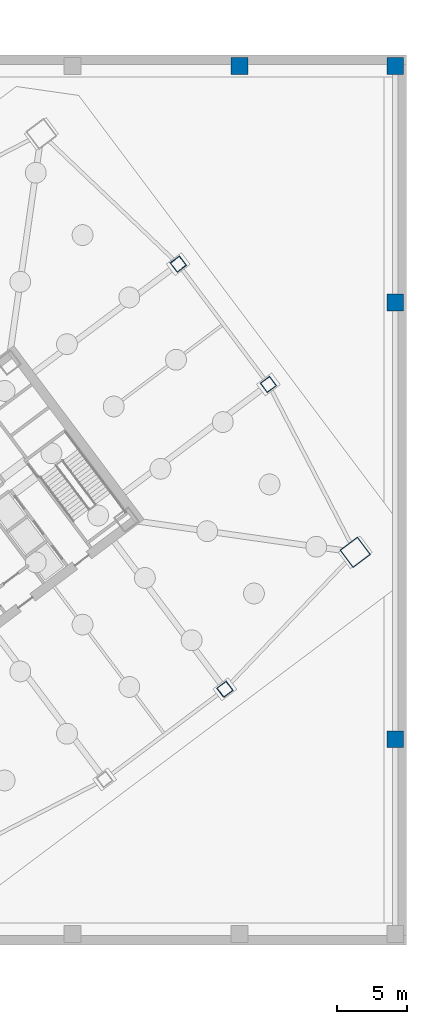
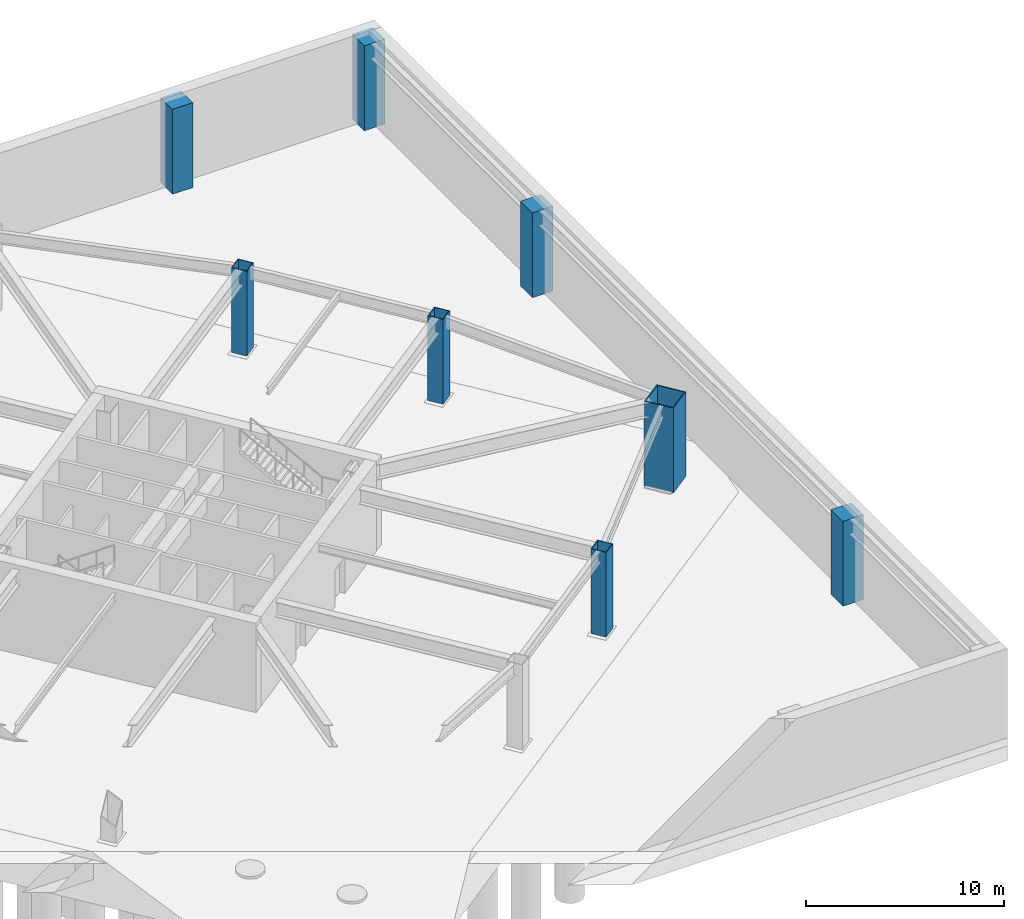
# One storey, part 5 of 19: 8 columns.
"""IFC4 building model written with IfcOpenShell, lengths in metres."""

import ifcopenshell
import ifcopenshell.guid

model = None  # the IFC model being written
_history = None  # IfcOwnerHistory: only IFC2X3 demands one
_inside = {}  # id of a spatial element -> (the spatial element, [elements in it])
_under = {}  # id of a project, library or spatial element -> (it, [spatial elements below it])
_declared = {}  # id of a project -> (the project, [libraries it declares])
_typed = {}  # id of a type object -> (the type object, [elements of that type])
_made_of = {}  # id of a material, layer set ... -> (it, [elements and type objects made of it])


def new_model(schema):
    """Start an empty IFC model of exactly this schema.

    Asked for "IFC4X3", IfcOpenShell would pick the latest addendum, in which some entities
    have other attributes; the version numbers below select the first issue.
    IFC2X3 requires an IfcOwnerHistory on every rooted entity: one is made here for all.
    """
    global model, _history
    if schema == "IFC4X3":
        model = ifcopenshell.file(schema_version=(4, 3, 0, 0))
    else:
        model = ifcopenshell.file(schema=schema)
    _inside.clear()
    _under.clear()
    _declared.clear()
    _typed.clear()
    _made_of.clear()
    _history = None
    if model.schema == "IFC2X3":
        org = make("IfcOrganization", Name="unknown")
        user = make(
            "IfcPersonAndOrganization",
            ThePerson=make("IfcPerson", FamilyName="unknown"),
            TheOrganization=org,
        )
        app = make(
            "IfcApplication",
            ApplicationDeveloper=org,
            Version="unknown",
            ApplicationFullName="unknown",
            ApplicationIdentifier="unknown",
        )
        _history = make(
            "IfcOwnerHistory",
            OwningUser=user,
            OwningApplication=app,
            ChangeAction="ADDED",
            CreationDate=0,
        )
    return model


def make(cls, **values):
    """One entity of the class cls with the attributes given. An attribute that is None is left unset."""
    return model.create_entity(
        cls, **{name: value for name, value in values.items() if value is not None}
    )


def rooted(cls, **values):
    """An entity with a GlobalId (a new one), such as an element, a storey or a relation."""
    return make(cls, GlobalId=ifcopenshell.guid.new(), OwnerHistory=_history, **values)


def si_unit(unit_type, name, prefix=None):
    """IfcSIUnit, for example si_unit("LENGTHUNIT", "METRE", prefix="MILLI")."""
    return make("IfcSIUnit", UnitType=unit_type, Prefix=prefix, Name=name)


def assignment(units):
    """IfcUnitAssignment: the units of a project."""
    return None if units is None else make("IfcUnitAssignment", Units=units)


def point(xyz):
    """IfcCartesianPoint."""
    return None if xyz is None else make("IfcCartesianPoint", Coordinates=xyz)


def direction(xyz):
    """IfcDirection."""
    return None if xyz is None else make("IfcDirection", DirectionRatios=xyz)


def frame(location, z_axis=None, x_axis=None):
    """IfcAxis2Placement3D, a coordinate frame: its origin and axes. An axis left out is left unset."""
    return make(
        "IfcAxis2Placement3D",
        Location=point(location),
        Axis=direction(z_axis),
        RefDirection=direction(x_axis),
    )


def frame_2d(location, x_axis=None):
    """IfcAxis2Placement2D, a coordinate frame in the plane: its origin and x axis."""
    return make(
        "IfcAxis2Placement2D", Location=point(location), RefDirection=direction(x_axis)
    )


def origin():
    """The frame at (0, 0, 0) with its axes left unset."""
    return frame((0.0, 0.0, 0.0))


def origin_2d():
    """The frame at (0, 0) in the plane with its x axis left unset."""
    return frame_2d((0.0, 0.0))


def place(relative_to, where):
    """IfcLocalPlacement: puts the frame where relative to a parent placement (None: the world)."""
    return make(
        "IfcLocalPlacement", PlacementRelTo=relative_to, RelativePlacement=where
    )


def context(
    kind, dimensions, precision=None, world=None, true_north=None, identifier=None
):
    """IfcGeometricRepresentationContext, for example the 3D "Model" context."""
    return make(
        "IfcGeometricRepresentationContext",
        ContextIdentifier=identifier,
        ContextType=kind,
        CoordinateSpaceDimension=dimensions,
        Precision=precision,
        WorldCoordinateSystem=world,
        TrueNorth=true_north,
    )


def subcontext(parent, identifier, kind, view, scale=None):
    """IfcGeometricRepresentationSubContext, for example "Body" below "Model"."""
    return make(
        "IfcGeometricRepresentationSubContext",
        ContextIdentifier=identifier,
        ContextType=kind,
        ParentContext=parent,
        TargetScale=scale,
        TargetView=view,
    )


def project(units=None, contexts=None):
    """IfcProject with its units and contexts."""
    return rooted(
        "IfcProject",
        Name="project",
        RepresentationContexts=contexts,
        UnitsInContext=assignment(units),
    )


def spatial(cls, under=None, at=None, **own):
    """A site, building, storey or space (cls), placed at a placement, below another one or the project."""
    s = rooted(cls, ObjectPlacement=at, **own)
    if under is not None:
        _under.setdefault(under.id(), (under, []))[1].append(s)
    return s


def profile(cls, at=None, kind="AREA", **sizes):
    """A parametric profile (cls). Its sizes go by their IFC names, for example OverallWidth=200.0."""
    return make(cls, ProfileType=kind, Position=at, **sizes)


def rectangle(**sizes):
    """IfcRectangleProfileDef."""
    return profile("IfcRectangleProfileDef", **sizes)


def hollow_rectangle(**sizes):
    """IfcRectangleHollowProfileDef."""
    return profile("IfcRectangleHollowProfileDef", **sizes)


def extrude(swept, where, along, depth):
    """IfcExtrudedAreaSolid: the profile swept, set in the frame where, extruded along a direction by depth."""
    return make(
        "IfcExtrudedAreaSolid",
        SweptArea=swept,
        Position=where,
        ExtrudedDirection=direction(along),
        Depth=depth,
    )


def shape(context_of_items, identifier, shape_type, items):
    """IfcShapeRepresentation: the items that make up one representation, for example the "Body"."""
    return make(
        "IfcShapeRepresentation",
        ContextOfItems=context_of_items,
        RepresentationIdentifier=identifier,
        RepresentationType=shape_type,
        Items=items,
    )


def material(Name=None, Category=None):
    """IfcMaterial."""
    return make("IfcMaterial", Name=Name, Category=Category)


def material_profile(
    of_material, cross_section, Name=None, Category=None, Priority=None
):
    """IfcMaterialProfile: a cross section and its material."""
    return make(
        "IfcMaterialProfile",
        Name=Name,
        Material=of_material,
        Profile=cross_section,
        Priority=Priority,
        Category=Category,
    )


def profile_set(profiles, Name=None, composite=None):
    """IfcMaterialProfileSet."""
    return make(
        "IfcMaterialProfileSet",
        Name=Name,
        MaterialProfiles=profiles,
        CompositeProfile=composite,
    )


def made_of(thing, what):
    """Note that an element or type object is made of a material, layer set ...; save() writes the relation."""
    if what is not None:
        _made_of.setdefault(what.id(), (what, []))[1].append(thing)
    return thing


def type_object(cls, material=None, **own):
    """A type object (cls), such as IfcWallType, which elements share."""
    return made_of(rooted(cls, **own), material)


def element(
    cls,
    number,
    at=None,
    inside=None,
    cuts=None,
    type_object=None,
    material=None,
    context=None,
    identifier="Body",
    shape_type=None,
    held_by="IfcProductDefinitionShape",
    body=None,
    shapes=None,
    **own,
):
    """One element of the class cls, such as IfcWall. Its Tag is "e" and its number.

    at: its placement. inside: the storey or other place that contains it. cuts: it is an
    opening in that element (IfcRelVoidsElement). A single representation is given by context,
    identifier, shape_type and body (its items); several are given by shapes. held_by: the class
    of the entity that holds the representations. save() writes the other relations.
    """
    e = rooted(cls, Tag="e%d" % number, ObjectPlacement=at, **own)
    if body is not None:
        shapes = [shape(context, identifier, shape_type, body)]
    if shapes is not None:
        e.Representation = make(held_by, Representations=shapes)
    if inside is not None:
        _inside.setdefault(inside.id(), (inside, []))[1].append(e)
    if cuts is not None:
        rooted(
            "IfcRelVoidsElement", RelatingBuildingElement=cuts, RelatedOpeningElement=e
        )
    if type_object is not None:
        _typed.setdefault(type_object.id(), (type_object, []))[1].append(e)
    return made_of(e, material)


def aggregate(whole, parts):
    """IfcRelAggregates: a whole, such as a stair, and the parts it consists of."""
    return rooted("IfcRelAggregates", RelatingObject=whole, RelatedObjects=parts)


def save(model, path):
    """Write the relations noted so far, then the file.

    IfcRelAggregates (storeys below a building ...), IfcRelContainedInSpatialStructure (elements
    in a storey), IfcRelDefinesByType, IfcRelAssociatesMaterial and IfcRelDeclares: one each for
    every whole, place, type object, material and project.
    """
    for whole, parts in _under.values():
        aggregate(whole, parts)
    for where, things in _inside.values():
        rooted(
            "IfcRelContainedInSpatialStructure",
            RelatedElements=things,
            RelatingStructure=where,
        )
    for kind, things in _typed.values():
        rooted("IfcRelDefinesByType", RelatedObjects=things, RelatingType=kind)
    for what, things in _made_of.values():
        rooted("IfcRelAssociatesMaterial", RelatedObjects=things, RelatingMaterial=what)
    for by, libraries in _declared.values():
        rooted("IfcRelDeclares", RelatingContext=by, RelatedDefinitions=libraries)
    model.write(path)


model = new_model("IFC4")

# Units and contexts
model_context = context("Model", 3, precision=1e-05, world=origin(), true_north=direction((0.0, 1.0)))
body_context = subcontext(model_context, "Body", "Model", "MODEL_VIEW")
ifc_project = project(units=[si_unit("LENGTHUNIT", "METRE"), si_unit("AREAUNIT", "SQUARE_METRE"), si_unit("VOLUMEUNIT", "CUBIC_METRE"), si_unit("PLANEANGLEUNIT", "RADIAN"), si_unit("MASSUNIT", "GRAM", prefix="KILO")], contexts=[model_context])

# Site, building, storey
site_placement = place(None, origin())
site = spatial("IfcSite", under=ifc_project, at=site_placement, CompositionType="ELEMENT")
building_placement = place(site_placement, origin())
building = spatial("IfcBuilding", under=site, at=building_placement, Name="Tashvorn Skyway Center", CompositionType="ELEMENT")
storey_placement = place(building_placement, frame((0.0, 0.0, -11.0)))
storey = spatial("IfcBuildingStorey", under=building, at=storey_placement, Name="B2", CompositionType="ELEMENT", Elevation=-11.0)

# Columns
ifc_material_1 = material(Name="Steel ASTM A572 Grade 50", Category="steel")
ifc_material_profile_1 = material_profile(ifc_material_1, hollow_rectangle(XDim=1.60009765625, YDim=1.60009765625, WallThickness=0.06005859375, at=origin_2d()), Name="BOX1600x1600x60")
ifc_profile_set_1 = profile_set([ifc_material_profile_1], Name="Steel ASTM A572 Grade 50")
column_type_1 = type_object("IfcColumnType", Name="COL-BOX1600x1600x60", PredefinedType="COLUMN", material=ifc_profile_set_1)
column_placement = place(storey_placement, frame((140.320068359375, 28.239990234375, 0.0), z_axis=(0.0, 0.0, 1.0), x_axis=(0.799999996291, 0.600000004945, 0.0)))
element("IfcColumn", 1, at=column_placement, inside=storey, type_object=column_type_1, Name="Tower 2 B2 Mega-Column MC-SE", PredefinedType="COLUMN", context=body_context, shape_type="SweptSolid", body=[
    extrude(hollow_rectangle(XDim=1.60009765625, YDim=1.60009765625, WallThickness=0.06005859375, at=origin_2d()), origin(), (0.0, 0.0, 1.0), 5.239990234375),
])
ifc_material_profile_2 = material_profile(ifc_material_1, hollow_rectangle(XDim=0.85009765625, YDim=0.85009765625, WallThickness=0.034912109375, at=origin_2d()), Name="BOX850x850x35")
ifc_profile_set_2 = profile_set([ifc_material_profile_2], Name="Steel ASTM A572 Grade 50")
column_type_2 = type_object("IfcColumnType", Name="COL-BOX850x850x35", PredefinedType="COLUMN", material=ifc_profile_set_2)
for number, where, z_axis, x_axis, name in (
    (2, (130.949951171875, 18.39990234375, 0.0), (0.0, 0.0, 1.0), (0.799999996291, 0.600000004945, 0.0), "Tower 2 B2 Perimeter Column FC-S2"),
    (3, (134.080078125, 40.31005859375, 0.0), (0.0, 0.0, 1.0), (0.799999996291, 0.600000004945, 0.0), "Tower 2 B2 Perimeter Column FC-E1"),
    (4, (127.60009765625, 48.949951171875, 0.0), (0.0, 0.0, 1.0), (0.799999996291, 0.600000004945, 0.0), "Tower 2 B2 Perimeter Column FC-E2"),
):
    element("IfcColumn", number, at=place(storey_placement, frame(where, z_axis=z_axis, x_axis=x_axis)), inside=storey, type_object=column_type_2, Name=name, PredefinedType="COLUMN", context=body_context, shape_type="SweptSolid", body=[
        extrude(hollow_rectangle(XDim=0.85009765625, YDim=0.85009765625, WallThickness=0.034912109375, at=origin_2d()), origin(), (0.0, 0.0, 1.0), 5.239990234375),
    ])
ifc_material_2 = material(Name="Concrete C50/60", Category="concrete")
ifc_material_profile_3 = material_profile(ifc_material_2, rectangle(XDim=1.199951171875, YDim=1.199951171875, at=origin_2d()), Name="RC1200x1200")
ifc_profile_set_3 = profile_set([ifc_material_profile_3], Name="Concrete C50/60")
column_type_3 = type_object("IfcColumnType", Name="COL-RC1200x1200", PredefinedType="COLUMN", material=ifc_profile_set_3)
for number, where, z_axis, x_axis, name in (
    (5, (132.0, 63.199951171875, 0.0), (0.0, 0.0, 1.0), (1.0, 0.0, 0.0), "B2 Podium Column PC-09-2"),
    (6, (143.199951171875, 63.199951171875, 0.0), (0.0, 0.0, 1.0), (1.0, 0.0, 0.0), "B2 Podium Column PC-10-2"),
    (7, (143.199951171875, 14.800048828125, 0.0), (0.0, 0.0, 1.0), (1.0, 0.0, 0.0), "B2 Podium Column PIC-06-1"),
    (8, (143.199951171875, 46.199951171875, 0.0), (0.0, 0.0, 1.0), (1.0, 0.0, 0.0), "B2 Podium Column PIC-06-2"),
):
    element("IfcColumn", number, at=place(storey_placement, frame(where, z_axis=z_axis, x_axis=x_axis)), inside=storey, type_object=column_type_3, Name=name, PredefinedType="COLUMN", context=body_context, shape_type="SweptSolid", body=[
        extrude(rectangle(XDim=1.199951171875, YDim=1.199951171875, at=origin_2d()), origin(), (0.0, 0.0, 1.0), 5.239990234375),
    ])

save(model, "model.ifc")
